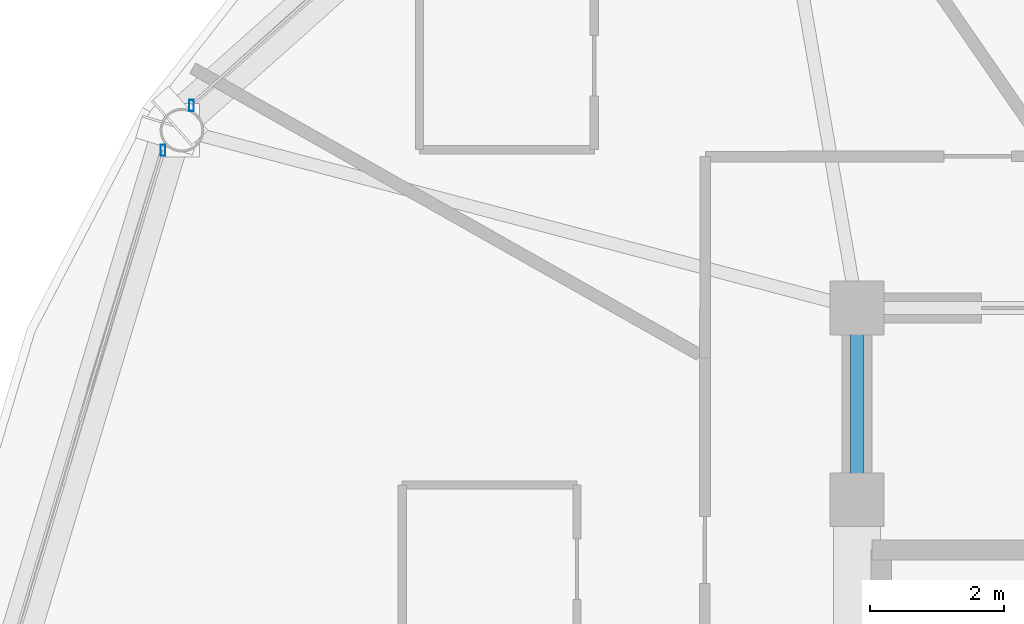
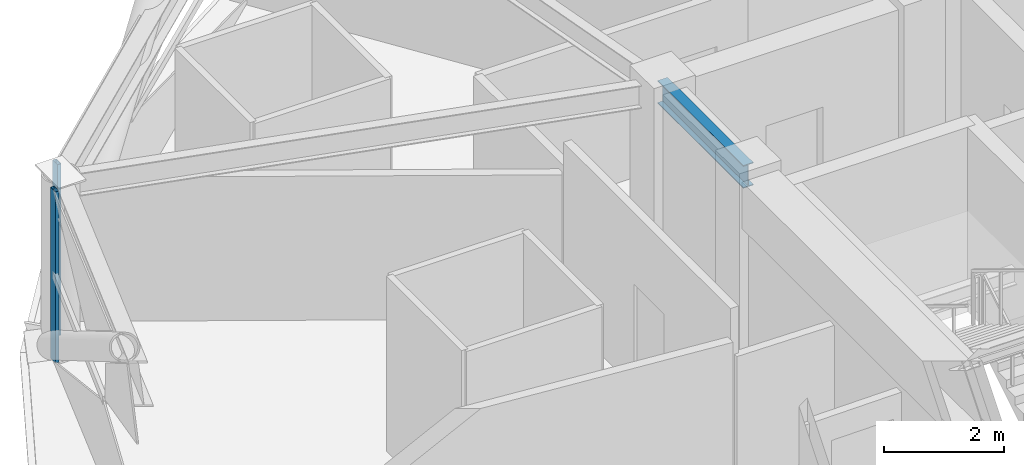
# One storey, part 9 of 30: 2 members, 1 beam, 2 elements without a shape of their own.
"""IFC4 building model written with IfcOpenShell, lengths in metres."""

import ifcopenshell
import ifcopenshell.guid

model = None  # the IFC model being written
_history = None  # IfcOwnerHistory: only IFC2X3 demands one
_inside = {}  # id of a spatial element -> (the spatial element, [elements in it])
_under = {}  # id of a project, library or spatial element -> (it, [spatial elements below it])
_declared = {}  # id of a project -> (the project, [libraries it declares])
_typed = {}  # id of a type object -> (the type object, [elements of that type])
_made_of = {}  # id of a material, layer set ... -> (it, [elements and type objects made of it])


def new_model(schema):
    """Start an empty IFC model of exactly this schema.

    Asked for "IFC4X3", IfcOpenShell would pick the latest addendum, in which some entities
    have other attributes; the version numbers below select the first issue.
    IFC2X3 requires an IfcOwnerHistory on every rooted entity: one is made here for all.
    """
    global model, _history
    if schema == "IFC4X3":
        model = ifcopenshell.file(schema_version=(4, 3, 0, 0))
    else:
        model = ifcopenshell.file(schema=schema)
    _inside.clear()
    _under.clear()
    _declared.clear()
    _typed.clear()
    _made_of.clear()
    _history = None
    if model.schema == "IFC2X3":
        org = make("IfcOrganization", Name="unknown")
        user = make(
            "IfcPersonAndOrganization",
            ThePerson=make("IfcPerson", FamilyName="unknown"),
            TheOrganization=org,
        )
        app = make(
            "IfcApplication",
            ApplicationDeveloper=org,
            Version="unknown",
            ApplicationFullName="unknown",
            ApplicationIdentifier="unknown",
        )
        _history = make(
            "IfcOwnerHistory",
            OwningUser=user,
            OwningApplication=app,
            ChangeAction="ADDED",
            CreationDate=0,
        )
    return model


def make(cls, **values):
    """One entity of the class cls with the attributes given. An attribute that is None is left unset."""
    return model.create_entity(
        cls, **{name: value for name, value in values.items() if value is not None}
    )


def rooted(cls, **values):
    """An entity with a GlobalId (a new one), such as an element, a storey or a relation."""
    return make(cls, GlobalId=ifcopenshell.guid.new(), OwnerHistory=_history, **values)


def si_unit(unit_type, name, prefix=None):
    """IfcSIUnit, for example si_unit("LENGTHUNIT", "METRE", prefix="MILLI")."""
    return make("IfcSIUnit", UnitType=unit_type, Prefix=prefix, Name=name)


def assignment(units):
    """IfcUnitAssignment: the units of a project."""
    return None if units is None else make("IfcUnitAssignment", Units=units)


def point(xyz):
    """IfcCartesianPoint."""
    return None if xyz is None else make("IfcCartesianPoint", Coordinates=xyz)


def direction(xyz):
    """IfcDirection."""
    return None if xyz is None else make("IfcDirection", DirectionRatios=xyz)


def frame(location, z_axis=None, x_axis=None):
    """IfcAxis2Placement3D, a coordinate frame: its origin and axes. An axis left out is left unset."""
    return make(
        "IfcAxis2Placement3D",
        Location=point(location),
        Axis=direction(z_axis),
        RefDirection=direction(x_axis),
    )


def frame_2d(location, x_axis=None):
    """IfcAxis2Placement2D, a coordinate frame in the plane: its origin and x axis."""
    return make(
        "IfcAxis2Placement2D", Location=point(location), RefDirection=direction(x_axis)
    )


def origin():
    """The frame at (0, 0, 0) with its axes left unset."""
    return frame((0.0, 0.0, 0.0))


def origin_2d():
    """The frame at (0, 0) in the plane with its x axis left unset."""
    return frame_2d((0.0, 0.0))


def place(relative_to, where):
    """IfcLocalPlacement: puts the frame where relative to a parent placement (None: the world)."""
    return make(
        "IfcLocalPlacement", PlacementRelTo=relative_to, RelativePlacement=where
    )


def context(
    kind, dimensions, precision=None, world=None, true_north=None, identifier=None
):
    """IfcGeometricRepresentationContext, for example the 3D "Model" context."""
    return make(
        "IfcGeometricRepresentationContext",
        ContextIdentifier=identifier,
        ContextType=kind,
        CoordinateSpaceDimension=dimensions,
        Precision=precision,
        WorldCoordinateSystem=world,
        TrueNorth=true_north,
    )


def subcontext(parent, identifier, kind, view, scale=None):
    """IfcGeometricRepresentationSubContext, for example "Body" below "Model"."""
    return make(
        "IfcGeometricRepresentationSubContext",
        ContextIdentifier=identifier,
        ContextType=kind,
        ParentContext=parent,
        TargetScale=scale,
        TargetView=view,
    )


def project(units=None, contexts=None):
    """IfcProject with its units and contexts."""
    return rooted(
        "IfcProject",
        Name="project",
        RepresentationContexts=contexts,
        UnitsInContext=assignment(units),
    )


def spatial(cls, under=None, at=None, **own):
    """A site, building, storey or space (cls), placed at a placement, below another one or the project."""
    s = rooted(cls, ObjectPlacement=at, **own)
    if under is not None:
        _under.setdefault(under.id(), (under, []))[1].append(s)
    return s


def profile(cls, at=None, kind="AREA", **sizes):
    """A parametric profile (cls). Its sizes go by their IFC names, for example OverallWidth=200.0."""
    return make(cls, ProfileType=kind, Position=at, **sizes)


def hollow_rectangle(**sizes):
    """IfcRectangleHollowProfileDef."""
    return profile("IfcRectangleHollowProfileDef", **sizes)


def i_section(**sizes):
    """IfcIShapeProfileDef."""
    return profile("IfcIShapeProfileDef", **sizes)


def extrude(swept, where, along, depth):
    """IfcExtrudedAreaSolid: the profile swept, set in the frame where, extruded along a direction by depth."""
    return make(
        "IfcExtrudedAreaSolid",
        SweptArea=swept,
        Position=where,
        ExtrudedDirection=direction(along),
        Depth=depth,
    )


def shape(context_of_items, identifier, shape_type, items):
    """IfcShapeRepresentation: the items that make up one representation, for example the "Body"."""
    return make(
        "IfcShapeRepresentation",
        ContextOfItems=context_of_items,
        RepresentationIdentifier=identifier,
        RepresentationType=shape_type,
        Items=items,
    )


def material(Name=None, Category=None):
    """IfcMaterial."""
    return make("IfcMaterial", Name=Name, Category=Category)


def layer(
    of_material, thickness, ventilated=None, Name=None, Category=None, Priority=None
):
    """IfcMaterialLayer: one layer of a wall or slab, of a material (None: an air gap)."""
    return make(
        "IfcMaterialLayer",
        Material=of_material,
        LayerThickness=thickness,
        IsVentilated=ventilated,
        Name=Name,
        Category=Category,
        Priority=Priority,
    )


def layer_set(layers, Name=None):
    """IfcMaterialLayerSet."""
    return make("IfcMaterialLayerSet", MaterialLayers=layers, LayerSetName=Name)


def material_profile(
    of_material, cross_section, Name=None, Category=None, Priority=None
):
    """IfcMaterialProfile: a cross section and its material."""
    return make(
        "IfcMaterialProfile",
        Name=Name,
        Material=of_material,
        Profile=cross_section,
        Priority=Priority,
        Category=Category,
    )


def profile_set(profiles, Name=None, composite=None):
    """IfcMaterialProfileSet."""
    return make(
        "IfcMaterialProfileSet",
        Name=Name,
        MaterialProfiles=profiles,
        CompositeProfile=composite,
    )


def made_of(thing, what):
    """Note that an element or type object is made of a material, layer set ...; save() writes the relation."""
    if what is not None:
        _made_of.setdefault(what.id(), (what, []))[1].append(thing)
    return thing


def type_object(cls, material=None, **own):
    """A type object (cls), such as IfcWallType, which elements share."""
    return made_of(rooted(cls, **own), material)


def element(
    cls,
    number,
    at=None,
    inside=None,
    cuts=None,
    type_object=None,
    material=None,
    context=None,
    identifier="Body",
    shape_type=None,
    held_by="IfcProductDefinitionShape",
    body=None,
    shapes=None,
    **own,
):
    """One element of the class cls, such as IfcWall. Its Tag is "e" and its number.

    at: its placement. inside: the storey or other place that contains it. cuts: it is an
    opening in that element (IfcRelVoidsElement). A single representation is given by context,
    identifier, shape_type and body (its items); several are given by shapes. held_by: the class
    of the entity that holds the representations. save() writes the other relations.
    """
    e = rooted(cls, Tag="e%d" % number, ObjectPlacement=at, **own)
    if body is not None:
        shapes = [shape(context, identifier, shape_type, body)]
    if shapes is not None:
        e.Representation = make(held_by, Representations=shapes)
    if inside is not None:
        _inside.setdefault(inside.id(), (inside, []))[1].append(e)
    if cuts is not None:
        rooted(
            "IfcRelVoidsElement", RelatingBuildingElement=cuts, RelatedOpeningElement=e
        )
    if type_object is not None:
        _typed.setdefault(type_object.id(), (type_object, []))[1].append(e)
    return made_of(e, material)


def aggregate(whole, parts):
    """IfcRelAggregates: a whole, such as a stair, and the parts it consists of."""
    return rooted("IfcRelAggregates", RelatingObject=whole, RelatedObjects=parts)


def save(model, path):
    """Write the relations noted so far, then the file.

    IfcRelAggregates (storeys below a building ...), IfcRelContainedInSpatialStructure (elements
    in a storey), IfcRelDefinesByType, IfcRelAssociatesMaterial and IfcRelDeclares: one each for
    every whole, place, type object, material and project.
    """
    for whole, parts in _under.values():
        aggregate(whole, parts)
    for where, things in _inside.values():
        rooted(
            "IfcRelContainedInSpatialStructure",
            RelatedElements=things,
            RelatingStructure=where,
        )
    for kind, things in _typed.values():
        rooted("IfcRelDefinesByType", RelatedObjects=things, RelatingType=kind)
    for what, things in _made_of.values():
        rooted("IfcRelAssociatesMaterial", RelatedObjects=things, RelatingMaterial=what)
    for by, libraries in _declared.values():
        rooted("IfcRelDeclares", RelatingContext=by, RelatedDefinitions=libraries)
    model.write(path)


model = new_model("IFC4")

# Units and contexts
model_context = context("Model", 3, precision=1e-05, world=origin(), true_north=direction((0.0, 1.0)))
body_context = subcontext(model_context, "Body", "Model", "MODEL_VIEW")
ifc_project = project(units=[si_unit("LENGTHUNIT", "METRE"), si_unit("AREAUNIT", "SQUARE_METRE"), si_unit("VOLUMEUNIT", "CUBIC_METRE"), si_unit("PLANEANGLEUNIT", "RADIAN"), si_unit("MASSUNIT", "GRAM", prefix="KILO")], contexts=[model_context])

# Site, building, storey
site_placement = place(None, origin())
site = spatial("IfcSite", under=ifc_project, at=site_placement, CompositionType="ELEMENT")
building_placement = place(site_placement, origin())
building = spatial("IfcBuilding", under=site, at=building_placement, Name="Vantalir Tower", CompositionType="ELEMENT")
storey_placement = place(building_placement, frame((0.0, 0.0, 189.89990234375)))
storey = spatial("IfcBuildingStorey", under=building, at=storey_placement, Name="L47", CompositionType="ELEMENT", Elevation=189.89990234375)

# Beam
ifc_material_1 = material(Name="Steel S355", Category="steel")
ifc_material_profile_1 = material_profile(ifc_material_1, i_section(OverallWidth=0.19189453125, OverallDepth=0.462890625, WebThickness=0.010498046875, FlangeThickness=0.017578125, at=origin_2d()), Name="Steel S355")
ifc_profile_set_1 = profile_set([ifc_material_profile_1], Name="Steel S355")
beam_type = type_object("IfcBeamType", Name="BM-RB-457x191", PredefinedType="BEAM", material=ifc_profile_set_1)
beam_placement = place(storey_placement, frame((21.89990234375, 32.449951171875, 3.338134765625), z_axis=(0.0, -1.0, 0.0), x_axis=(1.0, 0.0, 0.0)))
element("IfcBeam", 1, at=beam_placement, inside=storey, type_object=beam_type, Name="L47 Core Coupling Girder 12", PredefinedType="BEAM", context=body_context, shape_type="SweptSolid", body=[
    extrude(i_section(OverallWidth=0.19189453125, OverallDepth=0.462890625, WebThickness=0.010498046875, FlangeThickness=0.017578125, at=origin_2d()), origin(), (0.0, 0.0, 1.0), 2.849853515625),
])

# Curtain wall, member
ifc_material_2 = material(Name="Champagne-silver PVDF aluminium and double-silver Low-E glass", Category="aluminium")
ifc_layer = layer(ifc_material_2, 0.2099609375)
ifc_layer_set = layer_set([ifc_layer], Name="Champagne-silver PVDF aluminium and double-silver Low-E glass")
curtain_wall_type = type_object("IfcCurtainWallType", Name="CW-DIAMOND-Z3", PredefinedType="USERDEFINED", material=ifc_layer_set)
curtain_wall_1_placement = place(storey_placement, origin())
curtain_wall_1 = element("IfcCurtainWall", 2, at=curtain_wall_1_placement, inside=storey, type_object=curtain_wall_type, Name="L47 Quilted Pyramid-Diamond Curtain Wall S05", ObjectType="UNITISED CURTAIN WALL", PredefinedType="USERDEFINED")
ifc_material_3 = material(Name="Champagne-silver PVDF aluminium 6063-T6", Category="aluminium")
ifc_material_profile_2 = material_profile(ifc_material_3, hollow_rectangle(XDim=0.070068359375, YDim=0.1650390625, WallThickness=0.00390625, at=origin_2d()), Name="Champagne-silver PVDF aluminium 6063-T6")
ifc_profile_set_2 = profile_set([ifc_material_profile_2], Name="Champagne-silver PVDF aluminium 6063-T6")
member_type = type_object("IfcMemberType", Name="CWM-165x70", PredefinedType="MULLION", material=ifc_profile_set_2)
member_1_placement = place(storey_placement, frame((12.0029296875, 35.4619140625, 0.045166015625), z_axis=(0.0, 0.0, 1.0), x_axis=(1.0, 0.0, 0.0)))
member_1 = element("IfcMember", 3, at=member_1_placement, type_object=member_type, Name="CW-L47-S05 Mullion 2", PredefinedType="MULLION", context=body_context, shape_type="SweptSolid", body=[
    extrude(hollow_rectangle(XDim=0.070068359375, YDim=0.1650390625, WallThickness=0.00390625, at=origin_2d()), origin(), (0.0, 0.0, 1.0), 3.47998046875),
])
aggregate(curtain_wall_1, [member_1])

curtain_wall_2_placement = place(storey_placement, origin())
curtain_wall_2 = element("IfcCurtainWall", 4, at=curtain_wall_2_placement, inside=storey, type_object=curtain_wall_type, Name="L47 Quilted Pyramid-Diamond Curtain Wall S06", ObjectType="UNITISED CURTAIN WALL", PredefinedType="USERDEFINED")
member_2_placement = place(storey_placement, frame((11.5791015625, 34.7958984375, 0.045166015625), z_axis=(0.0, 0.0, 1.0), x_axis=(1.0, 0.0, 0.0)))
member_2 = element("IfcMember", 5, at=member_2_placement, type_object=member_type, Name="CW-L47-S06 Mullion 1", PredefinedType="MULLION", context=body_context, shape_type="SweptSolid", body=[
    extrude(hollow_rectangle(XDim=0.070068359375, YDim=0.1650390625, WallThickness=0.00390625, at=origin_2d()), origin(), (0.0, 0.0, 1.0), 3.47998046875),
])
aggregate(curtain_wall_2, [member_2])

save(model, "model.ifc")
